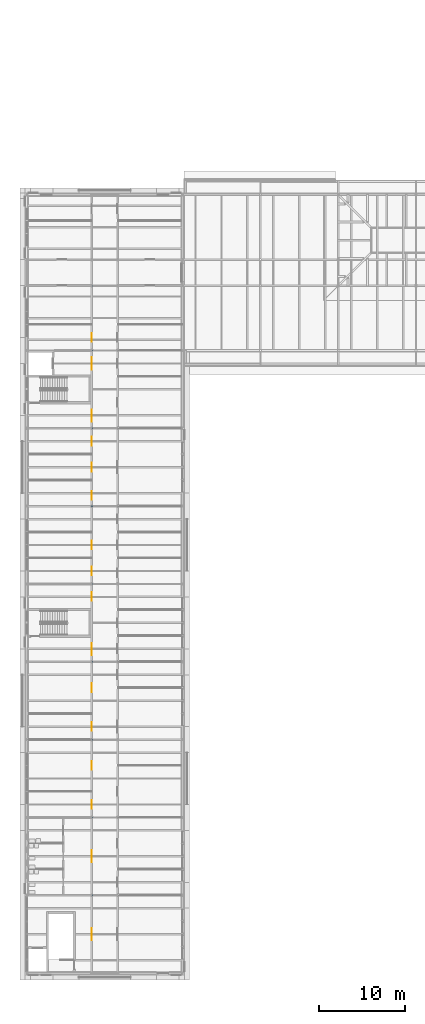
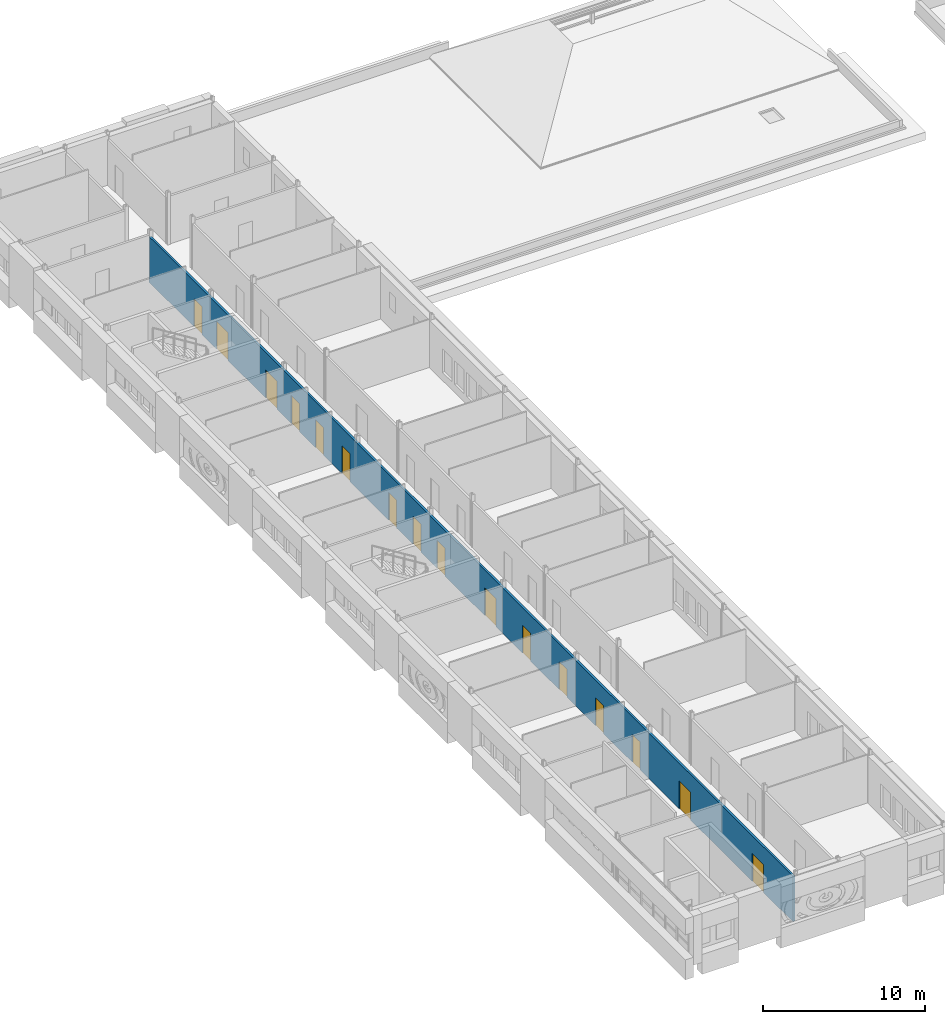
# One storey, part 26 of 42: 16 doors, 1 wall, 16 openings.
"""IFC4 building model written with IfcOpenShell, lengths in metres."""

from ifc_helpers import new_model, si_unit, direction, frame, frame_2d, origin, place, context, subcontext, project, spatial, rectangle, extrude, material, layer, layer_set, type_object, element, fill, save


model = new_model("IFC4")

# Units and contexts
model_context = context("Model", 3, precision=1e-05, world=origin(), true_north=direction((0.0, 1.0)))
body_context = subcontext(model_context, "Body", "Model", "MODEL_VIEW")
ifc_project = project(units=[si_unit("LENGTHUNIT", "METRE"), si_unit("AREAUNIT", "SQUARE_METRE"), si_unit("VOLUMEUNIT", "CUBIC_METRE"), si_unit("PLANEANGLEUNIT", "RADIAN"), si_unit("MASSUNIT", "GRAM", prefix="KILO")], contexts=[model_context])

# Site, building, storey
site_placement = place(None, origin())
site = spatial("IfcSite", under=ifc_project, at=site_placement, CompositionType="ELEMENT")
building_placement = place(site_placement, origin())
building = spatial("IfcBuilding", under=site, at=building_placement, Name="Golden Quay Civic Hall", CompositionType="ELEMENT")
storey_placement = place(building_placement, frame((0.0, 0.0, 22.800048828125)))
storey = spatial("IfcBuildingStorey", under=building, at=storey_placement, Name="L05", CompositionType="ELEMENT", Elevation=22.800048828125)

# Wall, openings, doors
ifc_material_1 = material(Name="Plasterboard on steel studs", Category="steel")
ifc_layer = layer(ifc_material_1, 0.14990234375)
ifc_layer_set = layer_set([ifc_layer], Name="Partition 150 stud fire EI 60")
wall_type = type_object("IfcWallType", Name="Partition 150 stud fire EI 60", PredefinedType="PARTITIONING", material=ifc_layer_set)
wall_placement = place(storey_placement, frame((7.5, -8.800048828125, 0.0), z_axis=(0.0, 0.0, 1.0), x_axis=(0.0, 1.0, 0.0)))
wall = element("IfcWall", 1, at=wall_placement, inside=storey, type_object=wall_type, Name="Partition L05-026", PredefinedType="PARTITIONING", context=body_context, shape_type="SweptSolid", body=[
    extrude(rectangle(XDim=79.300048828125, YDim=0.14990234375, at=frame_2d((39.64990234375, 0.0))), origin(), (0.0, 0.0, 1.0), 3.429931640625),
])
opening_1_placement = place(wall_placement, frame((18.800048828125, 0.0, 0.0)))
opening_1 = element("IfcOpeningElement", 2, at=opening_1_placement, cuts=wall, Name="Opening L05-D001", PredefinedType="OPENING", context=body_context, shape_type="SweptSolid", body=[
    extrude(rectangle(XDim=1.0, YDim=2.10009765625, at=frame_2d((0.5, 1.050048828125))), frame((0.0, 0.0849609375, 0.0), z_axis=(0.0, -1.0, 0.0), x_axis=(1.0, 0.0, 0.0)), (0.0, 0.0, 1.0), 0.169921875),
])
opening_2_placement = place(wall_placement, frame((23.300048828125, 0.0, 0.0)))
opening_2 = element("IfcOpeningElement", 3, at=opening_2_placement, cuts=wall, Name="Opening L05-D002", PredefinedType="OPENING", context=body_context, shape_type="SweptSolid", body=[
    extrude(rectangle(XDim=1.0, YDim=2.10009765625, at=frame_2d((0.5, 1.050048828125))), frame((0.0, 0.0849609375, 0.0), z_axis=(0.0, -1.0, 0.0), x_axis=(1.0, 0.0, 0.0)), (0.0, 0.0, 1.0), 0.169921875),
])
opening_3_placement = place(wall_placement, frame((27.800048828125, 0.0, 0.0)))
opening_3 = element("IfcOpeningElement", 4, at=opening_3_placement, cuts=wall, Name="Opening L05-D003", PredefinedType="OPENING", context=body_context, shape_type="SweptSolid", body=[
    extrude(rectangle(XDim=1.0, YDim=2.10009765625, at=frame_2d((0.5, 1.050048828125))), frame((0.0, 0.0849609375, 0.0), z_axis=(0.0, -1.0, 0.0), x_axis=(1.0, 0.0, 0.0)), (0.0, 0.0, 1.0), 0.169921875),
])
opening_4_placement = place(wall_placement, frame((32.300048828125, 0.0, 0.0)))
opening_4 = element("IfcOpeningElement", 5, at=opening_4_placement, cuts=wall, Name="Opening L05-D004", PredefinedType="OPENING", context=body_context, shape_type="SweptSolid", body=[
    extrude(rectangle(XDim=1.0, YDim=2.10009765625, at=frame_2d((0.5, 1.050048828125))), frame((0.0, 0.0849609375, 0.0), z_axis=(0.0, -1.0, 0.0), x_axis=(1.0, 0.0, 0.0)), (0.0, 0.0, 1.0), 0.169921875),
])
opening_5_placement = place(wall_placement, frame((45.800048828125, 0.0, 0.0)))
opening_5 = element("IfcOpeningElement", 6, at=opening_5_placement, cuts=wall, Name="Opening L05-D005", PredefinedType="OPENING", context=body_context, shape_type="SweptSolid", body=[
    extrude(rectangle(XDim=1.0, YDim=2.10009765625, at=frame_2d((0.5, 1.050048828125))), frame((0.0, 0.0849609375, 0.0), z_axis=(0.0, -1.0, 0.0), x_axis=(1.0, 0.0, 0.0)), (0.0, 0.0, 1.0), 0.169921875),
])
opening_6_placement = place(wall_placement, frame((48.800048828125, 0.0, 0.0)))
opening_6 = element("IfcOpeningElement", 7, at=opening_6_placement, cuts=wall, Name="Opening L05-D006", PredefinedType="OPENING", context=body_context, shape_type="SweptSolid", body=[
    extrude(rectangle(XDim=1.0, YDim=2.10009765625, at=frame_2d((0.5, 1.050048828125))), frame((0.0, 0.0849609375, 0.0), z_axis=(0.0, -1.0, 0.0), x_axis=(1.0, 0.0, 0.0)), (0.0, 0.0, 1.0), 0.169921875),
])
opening_7_placement = place(wall_placement, frame((54.550048828125, 0.0, 0.0)))
opening_7 = element("IfcOpeningElement", 8, at=opening_7_placement, cuts=wall, Name="Opening L05-D007", PredefinedType="OPENING", context=body_context, shape_type="SweptSolid", body=[
    extrude(rectangle(XDim=1.0, YDim=2.10009765625, at=frame_2d((0.5, 1.050048828125))), frame((0.0, 0.0849609375, 0.0), z_axis=(0.0, -1.0, 0.0), x_axis=(1.0, 0.0, 0.0)), (0.0, 0.0, 1.0), 0.169921875),
])
opening_8_placement = place(wall_placement, frame((57.800048828125, 0.0, 0.0)))
opening_8 = element("IfcOpeningElement", 9, at=opening_8_placement, cuts=wall, Name="Opening L05-D008", PredefinedType="OPENING", context=body_context, shape_type="SweptSolid", body=[
    extrude(rectangle(XDim=1.0, YDim=2.10009765625, at=frame_2d((0.5, 1.050048828125))), frame((0.0, 0.0849609375, 0.0), z_axis=(0.0, -1.0, 0.0), x_axis=(1.0, 0.0, 0.0)), (0.0, 0.0, 1.0), 0.169921875),
])
opening_9_placement = place(wall_placement, frame((60.800048828125, 0.0, 0.0)))
opening_9 = element("IfcOpeningElement", 10, at=opening_9_placement, cuts=wall, Name="Opening L05-D009", PredefinedType="OPENING", context=body_context, shape_type="SweptSolid", body=[
    extrude(rectangle(XDim=1.0, YDim=2.10009765625, at=frame_2d((0.5, 1.050048828125))), frame((0.0, 0.0849609375, 0.0), z_axis=(0.0, -1.0, 0.0), x_axis=(1.0, 0.0, 0.0)), (0.0, 0.0, 1.0), 0.169921875),
])
opening_10_placement = place(wall_placement, frame((12.60009765625, 0.0, 0.0)))
opening_10 = element("IfcOpeningElement", 11, at=opening_10_placement, cuts=wall, Name="Opening L05-D024", PredefinedType="OPENING", context=body_context, shape_type="SweptSolid", body=[
    extrude(rectangle(XDim=1.39990234375, YDim=2.10009765625, at=frame_2d((0.699951171875, 1.050048828125))), frame((0.0, 0.0849609375, 0.0), z_axis=(0.0, -1.0, 0.0), x_axis=(1.0, 0.0, 0.0)), (0.0, 0.0, 1.0), 0.169921875),
])
opening_11_placement = place(wall_placement, frame((3.60009765625, 0.0, 0.0)))
opening_11 = element("IfcOpeningElement", 12, at=opening_11_placement, cuts=wall, Name="Opening L05-D029", PredefinedType="OPENING", context=body_context, shape_type="SweptSolid", body=[
    extrude(rectangle(XDim=1.39990234375, YDim=2.10009765625, at=frame_2d((0.699951171875, 1.050048828125))), frame((0.0, 0.0849609375, 0.0), z_axis=(0.0, -1.0, 0.0), x_axis=(1.0, 0.0, 0.0)), (0.0, 0.0, 1.0), 0.169921875),
])
opening_12_placement = place(wall_placement, frame((63.550048828125, 0.0, 0.0)))
opening_12 = element("IfcOpeningElement", 13, at=opening_12_placement, cuts=wall, Name="Opening L05-D031", PredefinedType="OPENING", context=body_context, shape_type="SweptSolid", body=[
    extrude(rectangle(XDim=1.39990234375, YDim=2.10009765625, at=frame_2d((0.699951171875, 1.050048828125))), frame((0.0, 0.0849609375, 0.0), z_axis=(0.0, -1.0, 0.0), x_axis=(1.0, 0.0, 0.0)), (0.0, 0.0, 1.0), 0.169921875),
])
opening_13_placement = place(wall_placement, frame((69.60009765625, 0.0, 0.0)))
opening_13 = element("IfcOpeningElement", 14, at=opening_13_placement, cuts=wall, Name="Opening L05-D032", PredefinedType="OPENING", context=body_context, shape_type="SweptSolid", body=[
    extrude(rectangle(XDim=1.39990234375, YDim=2.10009765625, at=frame_2d((0.699951171875, 1.050048828125))), frame((0.0, 0.0849609375, 0.0), z_axis=(0.0, -1.0, 0.0), x_axis=(1.0, 0.0, 0.0)), (0.0, 0.0, 1.0), 0.169921875),
])
opening_14_placement = place(wall_placement, frame((42.85009765625, 0.0, 0.0)))
opening_14 = element("IfcOpeningElement", 15, at=opening_14_placement, cuts=wall, Name="Opening L05-D033", PredefinedType="OPENING", context=body_context, shape_type="SweptSolid", body=[
    extrude(rectangle(XDim=1.0, YDim=2.10009765625, at=frame_2d((0.5, 1.050048828125))), frame((0.0, 0.0849609375, 0.0), z_axis=(0.0, -1.0, 0.0), x_axis=(1.0, 0.0, 0.0)), (0.0, 0.0, 1.0), 0.169921875),
])
opening_15_placement = place(wall_placement, frame((36.550048828125, 0.0, 0.0)))
opening_15 = element("IfcOpeningElement", 16, at=opening_15_placement, cuts=wall, Name="Opening L05-D035", PredefinedType="OPENING", context=body_context, shape_type="SweptSolid", body=[
    extrude(rectangle(XDim=1.39990234375, YDim=2.10009765625, at=frame_2d((0.699951171875, 1.050048828125))), frame((0.0, 0.0849609375, 0.0), z_axis=(0.0, -1.0, 0.0), x_axis=(1.0, 0.0, 0.0)), (0.0, 0.0, 1.0), 0.169921875),
])
opening_16_placement = place(wall_placement, frame((72.800048828125, 0.0, 0.0)))
opening_16 = element("IfcOpeningElement", 17, at=opening_16_placement, cuts=wall, Name="Opening L05-D036", PredefinedType="OPENING", context=body_context, shape_type="SweptSolid", body=[
    extrude(rectangle(XDim=1.0, YDim=2.10009765625, at=frame_2d((0.5, 1.050048828125))), frame((0.0, 0.0849609375, 0.0), z_axis=(0.0, -1.0, 0.0), x_axis=(1.0, 0.0, 0.0)), (0.0, 0.0, 1.0), 0.169921875),
])
ifc_material_2 = material(Name="Steel", Category="steel")
door_type_1 = type_object("IfcDoorType", Name="Steel double fire door FD30S 1400 x 2100", OperationType="DOUBLE_DOOR_SINGLE_SWING", PredefinedType="DOOR", material=ifc_material_2)
door_1_placement = place(opening_10_placement, origin())
door_1 = element("IfcDoor", 18, at=door_1_placement, inside=storey, type_object=door_type_1, Name="Door L05-D024", OperationType="DOUBLE_DOOR_SINGLE_SWING", OverallHeight=2.10009765625, OverallWidth=1.39990234375, PredefinedType="DOOR", context=body_context, shape_type="SweptSolid", body=[
    extrude(rectangle(XDim=1.39990234375, YDim=2.10009765625, at=frame_2d((0.699951171875, 1.050048828125))), frame((0.0, 0.02490234375, 0.0), z_axis=(0.0, -1.0, 0.0), x_axis=(1.0, 0.0, 0.0)), (0.0, 0.0, 1.0), 0.050048828125),
])
fill(opening_10, door_1)
door_2_placement = place(opening_11_placement, frame((1.39990234375, 0.0, 0.0), z_axis=(0.0, 0.0, 1.0), x_axis=(-1.0, 0.0, 0.0)))
door_2 = element("IfcDoor", 19, at=door_2_placement, inside=storey, type_object=door_type_1, Name="Door L05-D029", OperationType="DOUBLE_DOOR_SINGLE_SWING", OverallHeight=2.10009765625, OverallWidth=1.39990234375, PredefinedType="DOOR", context=body_context, shape_type="SweptSolid", body=[
    extrude(rectangle(XDim=1.39990234375, YDim=2.10009765625, at=frame_2d((0.699951171875, 1.050048828125))), frame((0.0, 0.025146484375, 0.0), z_axis=(0.0, -1.0, 0.0), x_axis=(1.0, 0.0, 0.0)), (0.0, 0.0, 1.0), 0.050048828125),
])
fill(opening_11, door_2)
door_3_placement = place(opening_12_placement, frame((1.39990234375, 0.0, 0.0), z_axis=(0.0, 0.0, 1.0), x_axis=(-1.0, 0.0, 0.0)))
door_3 = element("IfcDoor", 20, at=door_3_placement, inside=storey, type_object=door_type_1, Name="Door L05-D031", OperationType="DOUBLE_DOOR_SINGLE_SWING", OverallHeight=2.10009765625, OverallWidth=1.39990234375, PredefinedType="DOOR", context=body_context, shape_type="SweptSolid", body=[
    extrude(rectangle(XDim=1.39990234375, YDim=2.10009765625, at=frame_2d((0.699951171875, 1.050048828125))), frame((0.0, 0.025146484375, 0.0), z_axis=(0.0, -1.0, 0.0), x_axis=(1.0, 0.0, 0.0)), (0.0, 0.0, 1.0), 0.050048828125),
])
fill(opening_12, door_3)
door_4_placement = place(opening_13_placement, frame((1.39990234375, 0.0, 0.0), z_axis=(0.0, 0.0, 1.0), x_axis=(-1.0, 0.0, 0.0)))
door_4 = element("IfcDoor", 21, at=door_4_placement, inside=storey, type_object=door_type_1, Name="Door L05-D032", OperationType="DOUBLE_DOOR_SINGLE_SWING", OverallHeight=2.10009765625, OverallWidth=1.39990234375, PredefinedType="DOOR", context=body_context, shape_type="SweptSolid", body=[
    extrude(rectangle(XDim=1.39990234375, YDim=2.10009765625, at=frame_2d((0.699951171875, 1.050048828125))), frame((0.0, 0.025146484375, 0.0), z_axis=(0.0, -1.0, 0.0), x_axis=(1.0, 0.0, 0.0)), (0.0, 0.0, 1.0), 0.050048828125),
])
fill(opening_13, door_4)
door_5_placement = place(opening_15_placement, frame((1.39990234375, 0.0, 0.0), z_axis=(0.0, 0.0, 1.0), x_axis=(-1.0, 0.0, 0.0)))
door_5 = element("IfcDoor", 22, at=door_5_placement, inside=storey, type_object=door_type_1, Name="Door L05-D035", OperationType="DOUBLE_DOOR_SINGLE_SWING", OverallHeight=2.10009765625, OverallWidth=1.39990234375, PredefinedType="DOOR", context=body_context, shape_type="SweptSolid", body=[
    extrude(rectangle(XDim=1.39990234375, YDim=2.10009765625, at=frame_2d((0.699951171875, 1.050048828125))), frame((0.0, 0.025146484375, 0.0), z_axis=(0.0, -1.0, 0.0), x_axis=(1.0, 0.0, 0.0)), (0.0, 0.0, 1.0), 0.050048828125),
])
fill(opening_15, door_5)
ifc_material_3 = material(Name="Steel", Category="steel")
door_type_2 = type_object("IfcDoorType", Name="Steel fire door FD30S 1000 x 2100", OperationType="SINGLE_SWING_LEFT", PredefinedType="DOOR", material=ifc_material_3)
door_6_placement = place(opening_1_placement, origin())
door_6 = element("IfcDoor", 23, at=door_6_placement, inside=storey, type_object=door_type_2, Name="Door L05-D001", OperationType="SINGLE_SWING_LEFT", OverallHeight=2.10009765625, OverallWidth=1.0, PredefinedType="DOOR", context=body_context, shape_type="SweptSolid", body=[
    extrude(rectangle(XDim=1.0, YDim=2.10009765625, at=frame_2d((0.5, 1.050048828125))), frame((0.0, 0.02490234375, 0.0), z_axis=(0.0, -1.0, 0.0), x_axis=(1.0, 0.0, 0.0)), (0.0, 0.0, 1.0), 0.050048828125),
])
fill(opening_1, door_6)
door_7_placement = place(opening_2_placement, origin())
door_7 = element("IfcDoor", 24, at=door_7_placement, inside=storey, type_object=door_type_2, Name="Door L05-D002", OperationType="SINGLE_SWING_LEFT", OverallHeight=2.10009765625, OverallWidth=1.0, PredefinedType="DOOR", context=body_context, shape_type="SweptSolid", body=[
    extrude(rectangle(XDim=1.0, YDim=2.10009765625, at=frame_2d((0.5, 1.050048828125))), frame((0.0, 0.02490234375, 0.0), z_axis=(0.0, -1.0, 0.0), x_axis=(1.0, 0.0, 0.0)), (0.0, 0.0, 1.0), 0.050048828125),
])
fill(opening_2, door_7)
door_8_placement = place(opening_3_placement, origin())
door_8 = element("IfcDoor", 25, at=door_8_placement, inside=storey, type_object=door_type_2, Name="Door L05-D003", OperationType="SINGLE_SWING_LEFT", OverallHeight=2.10009765625, OverallWidth=1.0, PredefinedType="DOOR", context=body_context, shape_type="SweptSolid", body=[
    extrude(rectangle(XDim=1.0, YDim=2.10009765625, at=frame_2d((0.5, 1.050048828125))), frame((0.0, 0.02490234375, 0.0), z_axis=(0.0, -1.0, 0.0), x_axis=(1.0, 0.0, 0.0)), (0.0, 0.0, 1.0), 0.050048828125),
])
fill(opening_3, door_8)
door_9_placement = place(opening_4_placement, origin())
door_9 = element("IfcDoor", 26, at=door_9_placement, inside=storey, type_object=door_type_2, Name="Door L05-D004", OperationType="SINGLE_SWING_LEFT", OverallHeight=2.10009765625, OverallWidth=1.0, PredefinedType="DOOR", context=body_context, shape_type="SweptSolid", body=[
    extrude(rectangle(XDim=1.0, YDim=2.10009765625, at=frame_2d((0.5, 1.050048828125))), frame((0.0, 0.02490234375, 0.0), z_axis=(0.0, -1.0, 0.0), x_axis=(1.0, 0.0, 0.0)), (0.0, 0.0, 1.0), 0.050048828125),
])
fill(opening_4, door_9)
door_10_placement = place(opening_5_placement, origin())
door_10 = element("IfcDoor", 27, at=door_10_placement, inside=storey, type_object=door_type_2, Name="Door L05-D005", OperationType="SINGLE_SWING_LEFT", OverallHeight=2.10009765625, OverallWidth=1.0, PredefinedType="DOOR", context=body_context, shape_type="SweptSolid", body=[
    extrude(rectangle(XDim=1.0, YDim=2.10009765625, at=frame_2d((0.5, 1.050048828125))), frame((0.0, 0.02490234375, 0.0), z_axis=(0.0, -1.0, 0.0), x_axis=(1.0, 0.0, 0.0)), (0.0, 0.0, 1.0), 0.050048828125),
])
fill(opening_5, door_10)
door_11_placement = place(opening_6_placement, origin())
door_11 = element("IfcDoor", 28, at=door_11_placement, inside=storey, type_object=door_type_2, Name="Door L05-D006", OperationType="SINGLE_SWING_LEFT", OverallHeight=2.10009765625, OverallWidth=1.0, PredefinedType="DOOR", context=body_context, shape_type="SweptSolid", body=[
    extrude(rectangle(XDim=1.0, YDim=2.10009765625, at=frame_2d((0.5, 1.050048828125))), frame((0.0, 0.02490234375, 0.0), z_axis=(0.0, -1.0, 0.0), x_axis=(1.0, 0.0, 0.0)), (0.0, 0.0, 1.0), 0.050048828125),
])
fill(opening_6, door_11)
door_12_placement = place(opening_7_placement, origin())
door_12 = element("IfcDoor", 29, at=door_12_placement, inside=storey, type_object=door_type_2, Name="Door L05-D007", OperationType="SINGLE_SWING_LEFT", OverallHeight=2.10009765625, OverallWidth=1.0, PredefinedType="DOOR", context=body_context, shape_type="SweptSolid", body=[
    extrude(rectangle(XDim=1.0, YDim=2.10009765625, at=frame_2d((0.5, 1.050048828125))), frame((0.0, 0.02490234375, 0.0), z_axis=(0.0, -1.0, 0.0), x_axis=(1.0, 0.0, 0.0)), (0.0, 0.0, 1.0), 0.050048828125),
])
fill(opening_7, door_12)
door_13_placement = place(opening_8_placement, origin())
door_13 = element("IfcDoor", 30, at=door_13_placement, inside=storey, type_object=door_type_2, Name="Door L05-D008", OperationType="SINGLE_SWING_LEFT", OverallHeight=2.10009765625, OverallWidth=1.0, PredefinedType="DOOR", context=body_context, shape_type="SweptSolid", body=[
    extrude(rectangle(XDim=1.0, YDim=2.10009765625, at=frame_2d((0.5, 1.050048828125))), frame((0.0, 0.02490234375, 0.0), z_axis=(0.0, -1.0, 0.0), x_axis=(1.0, 0.0, 0.0)), (0.0, 0.0, 1.0), 0.050048828125),
])
fill(opening_8, door_13)
door_14_placement = place(opening_9_placement, origin())
door_14 = element("IfcDoor", 31, at=door_14_placement, inside=storey, type_object=door_type_2, Name="Door L05-D009", OperationType="SINGLE_SWING_LEFT", OverallHeight=2.10009765625, OverallWidth=1.0, PredefinedType="DOOR", context=body_context, shape_type="SweptSolid", body=[
    extrude(rectangle(XDim=1.0, YDim=2.10009765625, at=frame_2d((0.5, 1.050048828125))), frame((0.0, 0.02490234375, 0.0), z_axis=(0.0, -1.0, 0.0), x_axis=(1.0, 0.0, 0.0)), (0.0, 0.0, 1.0), 0.050048828125),
])
fill(opening_9, door_14)
door_15_placement = place(opening_14_placement, origin())
door_15 = element("IfcDoor", 32, at=door_15_placement, inside=storey, type_object=door_type_2, Name="Door L05-D033", OperationType="SINGLE_SWING_LEFT", OverallHeight=2.10009765625, OverallWidth=1.0, PredefinedType="DOOR", context=body_context, shape_type="SweptSolid", body=[
    extrude(rectangle(XDim=1.0, YDim=2.10009765625, at=frame_2d((0.5, 1.050048828125))), frame((0.0, 0.02490234375, 0.0), z_axis=(0.0, -1.0, 0.0), x_axis=(1.0, 0.0, 0.0)), (0.0, 0.0, 1.0), 0.050048828125),
])
fill(opening_14, door_15)
door_16_placement = place(opening_16_placement, origin())
door_16 = element("IfcDoor", 33, at=door_16_placement, inside=storey, type_object=door_type_2, Name="Door L05-D036", OperationType="SINGLE_SWING_LEFT", OverallHeight=2.10009765625, OverallWidth=1.0, PredefinedType="DOOR", context=body_context, shape_type="SweptSolid", body=[
    extrude(rectangle(XDim=1.0, YDim=2.10009765625, at=frame_2d((0.5, 1.050048828125))), frame((0.0, 0.02490234375, 0.0), z_axis=(0.0, -1.0, 0.0), x_axis=(1.0, 0.0, 0.0)), (0.0, 0.0, 1.0), 0.050048828125),
])
fill(opening_16, door_16)

save(model, "model.ifc")
